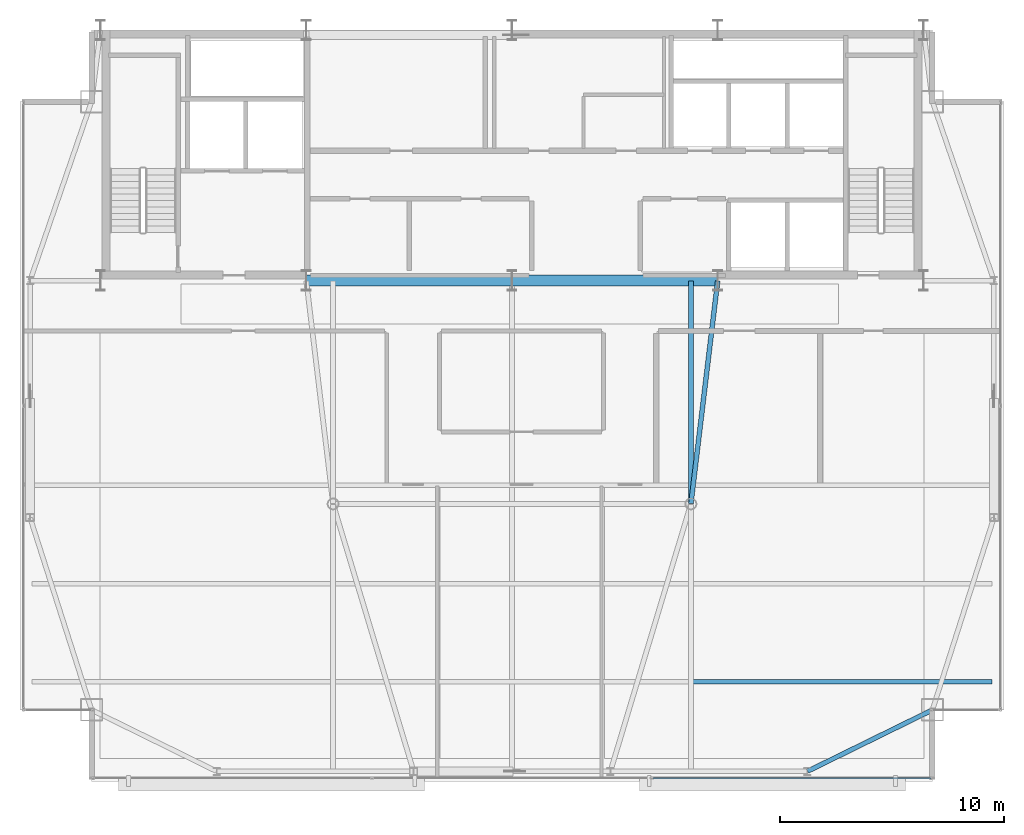
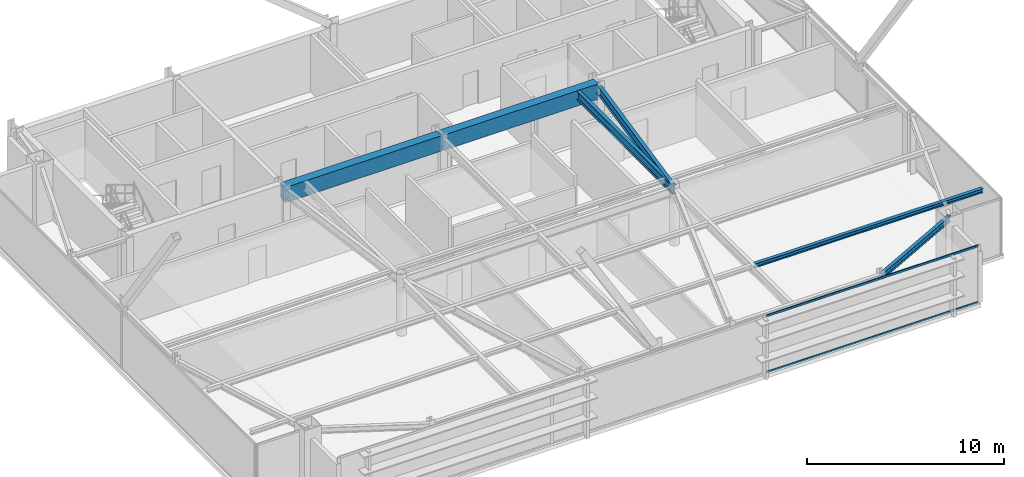
# One storey, part 13 of 24: 6 beams, 2 members, 1 element without a shape of its own.
"""IFC4 building model written with IfcOpenShell, lengths in metres."""

from ifc_helpers import new_model, si_unit, direction, frame, origin, origin_2d, place, context, subcontext, project, spatial, rectangle, hollow_rectangle, i_section, extrude, source, transform, mapped, material, layer, layer_set, material_profile, profile_set, type_object, type_shapes, element, aggregate, save


model = new_model("IFC4")

# Units and contexts
model_context = context("Model", 3, precision=1e-05, world=origin(), true_north=direction((0.0, 1.0)))
body_context = subcontext(model_context, "Body", "Model", "MODEL_VIEW")
ifc_project = project(units=[si_unit("LENGTHUNIT", "METRE"), si_unit("AREAUNIT", "SQUARE_METRE"), si_unit("VOLUMEUNIT", "CUBIC_METRE"), si_unit("PLANEANGLEUNIT", "RADIAN"), si_unit("MASSUNIT", "GRAM", prefix="KILO")], contexts=[model_context])

# Site, building, storey
site_placement = place(None, origin())
site = spatial("IfcSite", under=ifc_project, at=site_placement, CompositionType="ELEMENT")
building_placement = place(site_placement, origin())
building = spatial("IfcBuilding", under=site, at=building_placement, Name="Varnel Quay Broadcast Tower", CompositionType="ELEMENT")
storey_placement = place(building_placement, frame((0.0, 0.0, 277.39990234375)))
storey = spatial("IfcBuildingStorey", under=building, at=storey_placement, Name="L69", CompositionType="ELEMENT", Elevation=277.39990234375)

# Beams
ifc_material_1 = material(Name="Concrete CSA A23.3 C50/60", Category="concrete")
ifc_material_profile_1 = material_profile(ifc_material_1, rectangle(XDim=0.5, YDim=0.949951171875, at=origin_2d()), Name="RC500X950")
ifc_profile_set_1 = profile_set([ifc_material_profile_1], Name="Concrete CSA A23.3 C50/60")
beam_type_1 = type_object("IfcBeamType", Name="Beam_RC500X950", PredefinedType="BEAM", material=ifc_profile_set_1)
shared_shape_1 = source(origin(), body_context, "Body", "SweptSolid", [
    extrude(rectangle(XDim=0.5, YDim=0.949951171875, at=origin_2d()), origin(), (0.0, 0.0, 1.0), 9.159912109375),
])
type_shapes(beam_type_1, [shared_shape_1])
for number, where, z_axis, x_axis, name in (
    (1, (24.820068359375, 35.60009765625, 3.0751953125), (1.0, 0.0, 0.0), (0.0, 1.0, 0.0), "L69 Core Coupling Beam W"),
    (2, (34.02001953125, 35.60009765625, 3.0751953125), (1.0, 0.0, 0.0), (0.0, 1.0, 0.0), "L69 Core Coupling Beam E"),
):
    element("IfcBeam", number, at=place(storey_placement, frame(where, z_axis=z_axis, x_axis=x_axis)), inside=storey, type_object=beam_type_1, Name=name, PredefinedType="BEAM", context=body_context, shape_type="MappedRepresentation", body=[
        mapped(shared_shape_1, transform((0.0, 0.0, 0.0), x_axis=(1.0, 0.0, 0.0), y_axis=(0.0, 1.0, 0.0), z_axis=(0.0, 0.0, 1.0), scale=1.0)),
    ])
ifc_material_2 = material(Name="Structural Steel CSA G40.21 350W", Category="steel")
ifc_material_profile_2 = material_profile(ifc_material_2, i_section(OverallWidth=0.205078125, OverallDepth=0.35400390625, WebThickness=0.009521484375, FlangeThickness=0.016845703125, FilletRadius=0.012939453125, at=origin_2d()), Name="W360X79")
ifc_profile_set_2 = profile_set([ifc_material_profile_2], Name="Structural Steel CSA G40.21 350W")
beam_type_2 = type_object("IfcBeamType", Name="Beam_W360X79", PredefinedType="SPANDREL", material=ifc_profile_set_2)
shared_shape_2 = source(origin(), body_context, "Body", "SweptSolid", [
    extrude(i_section(OverallWidth=0.205078125, OverallDepth=0.35400390625, WebThickness=0.009521484375, FlangeThickness=0.016845703125, FilletRadius=0.012939453125, at=origin_2d()), origin(), (0.0, 0.0, 1.0), 6.19873046875),
])
type_shapes(beam_type_2, [shared_shape_2])
beam_1_placement = place(storey_placement, frame((47.218017578125, 13.65869140625, 3.373046875), z_axis=(0.897602447358, 0.440805905697, 0.0), x_axis=(-0.440805905697, 0.897602447358, 0.0)))
element("IfcBeam", 3, at=beam_1_placement, inside=storey, type_object=beam_type_2, Name="L69 South Spandrel TC-S4-MC-SE", PredefinedType="SPANDREL", context=body_context, shape_type="MappedRepresentation", body=[
    mapped(shared_shape_2, transform((0.0, 0.0, 0.0), x_axis=(1.0, 0.0, 0.0), y_axis=(0.0, 1.0, 0.0), z_axis=(0.0, 0.0, 1.0), scale=1.0)),
])
ifc_material_profile_3 = material_profile(ifc_material_2, i_section(OverallWidth=0.2119140625, OverallDepth=0.5439453125, WebThickness=0.01318359375, FlangeThickness=0.021240234375, FilletRadius=0.013916015625, at=origin_2d()), Name="W530X123")
ifc_profile_set_3 = profile_set([ifc_material_profile_3], Name="Structural Steel CSA G40.21 350W")
beam_type_3 = type_object("IfcBeamType", Name="Girder_W530X123", PredefinedType="BEAM", material=ifc_profile_set_3)
shared_shape_3 = source(origin(), body_context, "Body", "SweptSolid", [
    extrude(i_section(OverallWidth=0.2119140625, OverallDepth=0.5439453125, WebThickness=0.01318359375, FlangeThickness=0.021240234375, FilletRadius=0.013916015625, at=origin_2d()), origin(), (0.0, 0.0, 1.0), 10.021728515625),
])
beam_2_placement = place(storey_placement, frame((42.00244140625, 25.6298828125, 3.278076171875), z_axis=(0.119248005741, 0.992864498875, 0.0), x_axis=(-0.992864498875, 0.119248005741, 0.0)))
element("IfcBeam", 4, at=beam_2_placement, inside=storey, type_object=beam_type_3, Name="L69 Primary Girder IC-02-CC-S4", PredefinedType="BEAM", context=body_context, shape_type="MappedRepresentation", body=[
    mapped(shared_shape_3, transform((0.0, 0.0, 0.0), x_axis=(1.0, 0.0, 0.0), y_axis=(0.0, 1.0, 0.0), z_axis=(0.0, 0.0, 1.0), scale=1.0)),
])
shared_shape_4 = source(origin(), body_context, "Body", "SweptSolid", [
    extrude(i_section(OverallWidth=0.2119140625, OverallDepth=0.5439453125, WebThickness=0.01318359375, FlangeThickness=0.021240234375, FilletRadius=0.013916015625, at=origin_2d()), origin(), (0.0, 0.0, 1.0), 9.9501953125),
])
type_shapes(beam_type_3, [shared_shape_3, shared_shape_4])
beam_3_placement = place(storey_placement, frame((42.0, 25.6298828125, 3.278076171875), z_axis=(0.0, 1.0, 0.0), x_axis=(-1.0, 0.0, 0.0)))
element("IfcBeam", 5, at=beam_3_placement, inside=storey, type_object=beam_type_3, Name="L69 N-S Joist Header IC-02N", PredefinedType="BEAM", context=body_context, shape_type="MappedRepresentation", body=[
    mapped(shared_shape_4, transform((0.0, 0.0, 0.0), x_axis=(1.0, 0.0, 0.0), y_axis=(0.0, 1.0, 0.0), z_axis=(0.0, 0.0, 1.0), scale=1.0)),
])
ifc_material_profile_4 = material_profile(ifc_material_2, i_section(OverallWidth=0.201904296875, OverallDepth=0.2470703125, WebThickness=0.00732421875, FlangeThickness=0.010986328125, FilletRadius=0.010986328125, at=origin_2d()), Name="W250X49")
ifc_profile_set_4 = profile_set([ifc_material_profile_4], Name="Structural Steel CSA G40.21 350W")
beam_type_4 = type_object("IfcBeamType", Name="Beam_W250X49", PredefinedType="JOIST", material=ifc_profile_set_4)
shared_shape_5 = source(origin(), body_context, "Body", "SweptSolid", [
    extrude(i_section(OverallWidth=0.201904296875, OverallDepth=0.2470703125, WebThickness=0.00732421875, FlangeThickness=0.010986328125, FilletRadius=0.010986328125, at=origin_2d()), origin(), (0.0, 0.0, 1.0), 13.351318359375),
])
type_shapes(beam_type_4, [shared_shape_5])
beam_4_placement = place(storey_placement, frame((42.10107421875, 17.64990234375, 3.426513671875), z_axis=(1.0, 0.0, 0.0), x_axis=(0.0, 1.0, 0.0)))
element("IfcBeam", 6, at=beam_4_placement, inside=storey, type_object=beam_type_4, Name="L69 East Floor Joist 1", PredefinedType="JOIST", context=body_context, shape_type="MappedRepresentation", body=[
    mapped(shared_shape_5, transform((0.0, 0.0, 0.0), x_axis=(1.0, 0.0, 0.0), y_axis=(0.0, 1.0, 0.0), z_axis=(0.0, 0.0, 1.0), scale=1.0)),
])

# Curtain wall, members
ifc_material_3 = material(Name="Anodised Bronze Aluminium 6063-T6", Category="aluminium")
ifc_layer = layer(ifc_material_3, 0.18994140625, Name="Anodised Bronze Aluminium 6063-T6")
ifc_layer_set = layer_set([ifc_layer], Name="Anodised Bronze Aluminium 6063-T6")
curtain_wall_type = type_object("IfcCurtainWallType", Name="CW_UpperTower", PredefinedType="NOTDEFINED", material=ifc_layer_set)
curtain_wall_placement = place(storey_placement, origin())
curtain_wall = element("IfcCurtainWall", 7, at=curtain_wall_placement, inside=storey, type_object=curtain_wall_type, Name="L69 South Unitised Curtain Wall 1", PredefinedType="NOTDEFINED")
ifc_material_profile_5 = material_profile(ifc_material_3, hollow_rectangle(XDim=0.06005859375, YDim=0.125, WallThickness=0.0029296875, at=origin_2d()), Name="ALU60X125X3")
ifc_profile_set_5 = profile_set([ifc_material_profile_5], Name="Anodised Bronze Aluminium 6063-T6")
member_type = type_object("IfcMemberType", Name="Tran_CWS-03", PredefinedType="USERDEFINED", material=ifc_profile_set_5)
shared_shape_6 = source(origin(), body_context, "Body", "SweptSolid", [
    extrude(hollow_rectangle(XDim=0.06005859375, YDim=0.125, WallThickness=0.0029296875, at=origin_2d()), origin(), (0.0, 0.0, 1.0), 12.43603515625),
])
type_shapes(member_type, [shared_shape_6])
member_1_placement = place(storey_placement, frame((40.299072265625, 13.35009765625, 0.030029296875), z_axis=(1.0, 0.0, 0.0), x_axis=(0.0, 1.0, 0.0)))
member_1 = element("IfcMember", 8, at=member_1_placement, type_object=member_type, Name="CWS-03 transom 3.1", ObjectType="TRANSOM", PredefinedType="USERDEFINED", context=body_context, shape_type="MappedRepresentation", body=[
    mapped(shared_shape_6, transform((0.0, 0.0, 0.0), x_axis=(1.0, 0.0, 0.0), y_axis=(0.0, 1.0, 0.0), z_axis=(0.0, 0.0, 1.0), scale=1.0)),
])
member_2_placement = place(storey_placement, frame((40.299072265625, 13.35009765625, 3.52001953125), z_axis=(1.0, 0.0, 0.0), x_axis=(0.0, 1.0, 0.0)))
member_2 = element("IfcMember", 9, at=member_2_placement, type_object=member_type, Name="CWS-03 transom 3.2", ObjectType="TRANSOM", PredefinedType="USERDEFINED", context=body_context, shape_type="MappedRepresentation", body=[
    mapped(shared_shape_6, transform((0.0, 0.0, 0.0), x_axis=(1.0, 0.0, 0.0), y_axis=(0.0, 1.0, 0.0), z_axis=(0.0, 0.0, 1.0), scale=1.0)),
])
aggregate(curtain_wall, [member_1, member_2])

save(model, "model.ifc")
